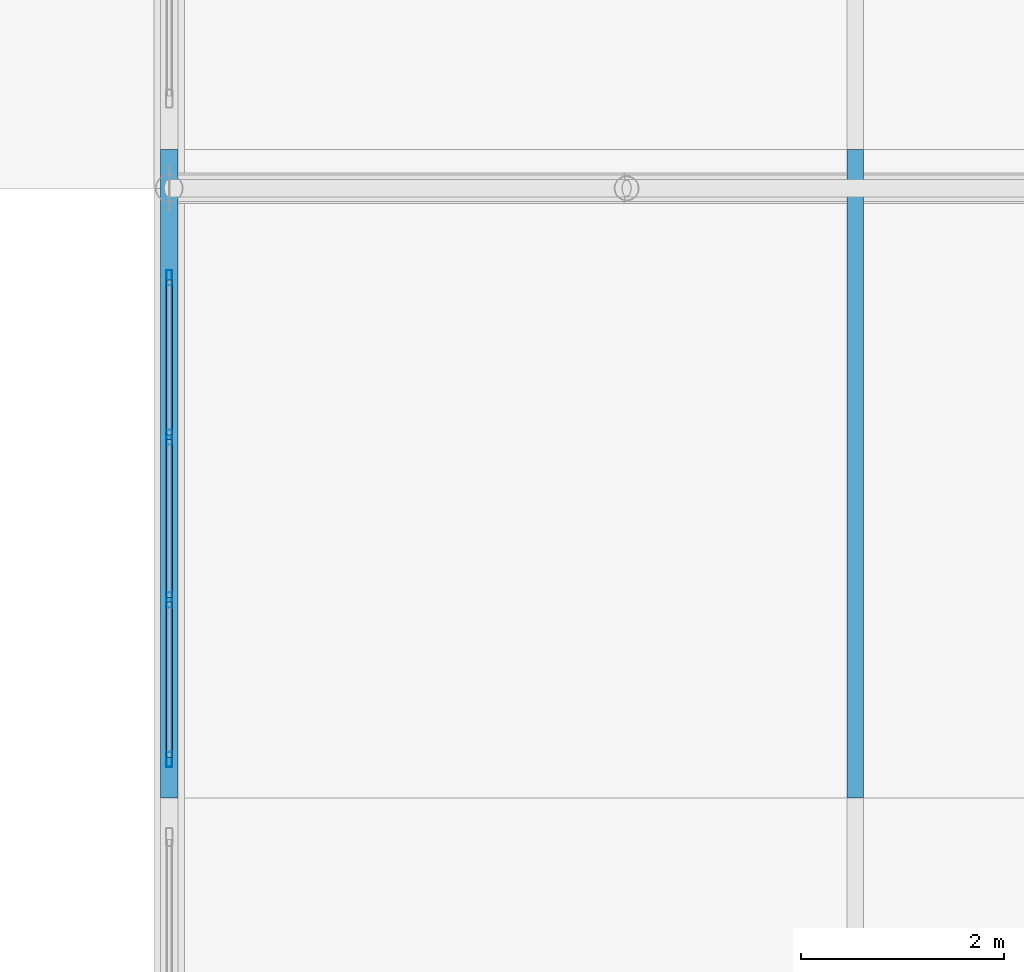
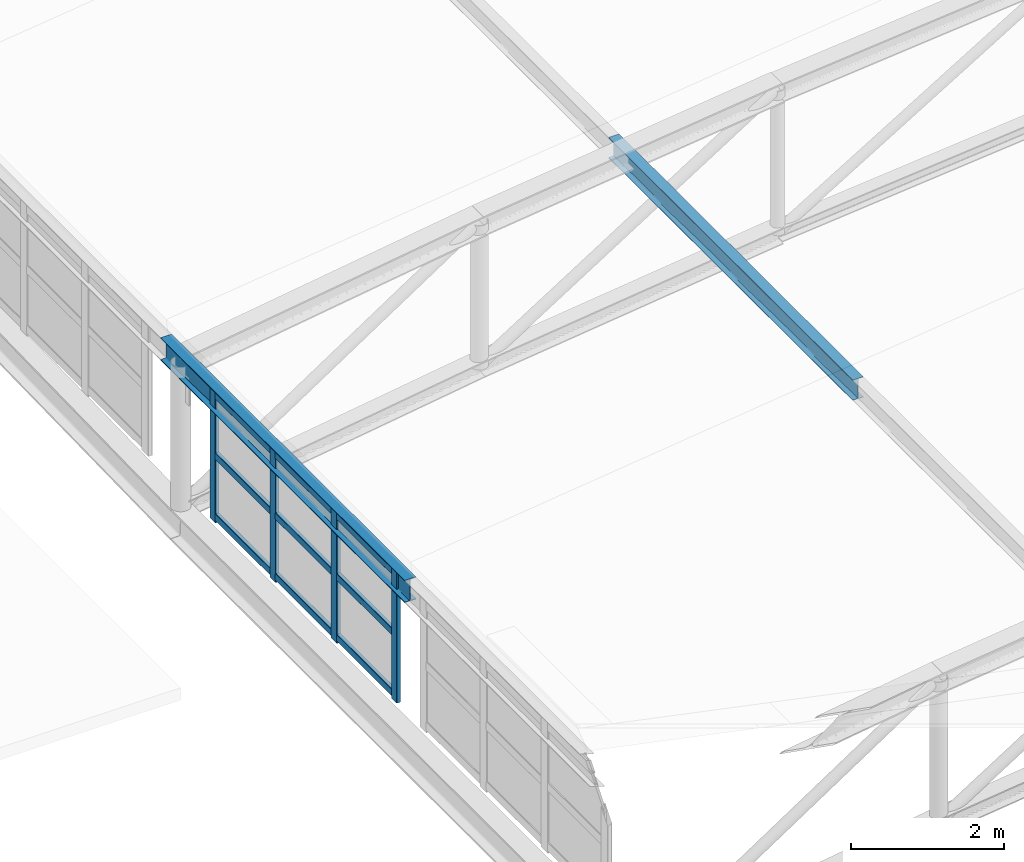
# One storey, part 87 of 262: 15 members, 1 element without a shape of its own.
"""IFC4 building model written with IfcOpenShell, lengths in metres."""

from ifc_helpers import new_model, si_unit, derived_unit, direction, frame, origin, origin_2d, place, context, subcontext, project, spatial, hollow_rectangle, i_section, extrude, material, layer, layer_set, material_profile, profile_set, type_object, element, aggregate, save


model = new_model("IFC4")

# Units and contexts
model_context = context("Model", 3, precision=1e-05, world=origin(), true_north=direction((0.0, 1.0)))
body_context = subcontext(model_context, "Body", "Model", "MODEL_VIEW")
ifc_project = project(units=[si_unit("LENGTHUNIT", "METRE"), si_unit("AREAUNIT", "SQUARE_METRE"), si_unit("VOLUMEUNIT", "CUBIC_METRE"), si_unit("PLANEANGLEUNIT", "RADIAN"), si_unit("MASSUNIT", "GRAM", prefix="KILO"), derived_unit("THERMALTRANSMITTANCEUNIT", [(si_unit("POWERUNIT", "WATT"), 1), (si_unit("LENGTHUNIT", "METRE"), -2), (si_unit("THERMODYNAMICTEMPERATUREUNIT", "KELVIN"), -1)])], contexts=[model_context])

# Site, building, storey
site_placement = place(None, origin())
site = spatial("IfcSite", under=ifc_project, at=site_placement, CompositionType="ELEMENT")
building_placement = place(site_placement, origin())
building = spatial("IfcBuilding", under=site, at=building_placement, Name="Almenara Railside Exhibition Hall", CompositionType="ELEMENT")
storey_placement = place(building_placement, frame((0.0, 0.0, 21.699951171875)))
storey = spatial("IfcBuildingStorey", under=building, at=storey_placement, Name="RF", CompositionType="ELEMENT", Elevation=21.699951171875)

# Curtain wall, members
ifc_material_1 = material(Name="Bronze-anodised aluminium and low-E double glazing", Category="aluminium")
ifc_layer = layer(ifc_material_1, 0.179931640625, Name="Bronze-anodised aluminium and low-E double glazing")
ifc_layer_set = layer_set([ifc_layer], Name="Bronze-anodised aluminium and low-E double glazing")
curtain_wall_type = type_object("IfcCurtainWallType", Name="West Hall Clerestory Curtain Wall 4200x2400", PredefinedType="NOTDEFINED", material=ifc_layer_set)
curtain_wall_placement = place(storey_placement, origin())
curtain_wall = element("IfcCurtainWall", 1, at=curtain_wall_placement, inside=storey, type_object=curtain_wall_type, Name="Curtain wall CW-CL1-181", PredefinedType="NOTDEFINED")
ifc_material_2 = material(Name="Bronze-anodised aluminium", Category="aluminium")
ifc_material_profile_1 = material_profile(ifc_material_2, hollow_rectangle(XDim=0.06005859375, YDim=0.14990234375, WallThickness=0.00341796875, InnerFilletRadius=0.00341796875, OuterFilletRadius=0.007080078125, at=origin_2d()), Name="ALU-MUL 60x150x3.5")
ifc_profile_set_1 = profile_set([ifc_material_profile_1], Name="Bronze-anodised aluminium")
member_type_1 = type_object("IfcMemberType", Name="Curtain Wall Mullion 60x150x3.5", PredefinedType="MULLION", material=ifc_profile_set_1)
member_1_placement = place(storey_placement, frame((12.0, 90.3798828125, -2.0849609375), z_axis=(0.0, 0.0, 1.0), x_axis=(-1.0, 0.0, 0.0)))
member_1 = element("IfcMember", 2, at=member_1_placement, type_object=member_type_1, Name="CW-CL1-181 mullion 1", PredefinedType="MULLION", context=body_context, shape_type="SweptSolid", body=[
    extrude(hollow_rectangle(XDim=0.06005859375, YDim=0.14990234375, WallThickness=0.00341796875, InnerFilletRadius=0.00341796875, OuterFilletRadius=0.007080078125, at=origin_2d()), origin(), (0.0, 0.0, 1.0), 2.0849609375),
])
member_2_placement = place(storey_placement, frame((12.0, 91.949951171875, -2.0849609375), z_axis=(0.0, 0.0, 1.0), x_axis=(-1.0, 0.0, 0.0)))
member_2 = element("IfcMember", 3, at=member_2_placement, type_object=member_type_1, Name="CW-CL1-181 mullion 2", PredefinedType="MULLION", context=body_context, shape_type="SweptSolid", body=[
    extrude(hollow_rectangle(XDim=0.06005859375, YDim=0.14990234375, WallThickness=0.00341796875, InnerFilletRadius=0.00341796875, OuterFilletRadius=0.007080078125, at=origin_2d()), origin(), (0.0, 0.0, 1.0), 2.0849609375),
])
member_3_placement = place(storey_placement, frame((12.0, 93.550048828125, -2.0849609375), z_axis=(0.0, 0.0, 1.0), x_axis=(-1.0, 0.0, 0.0)))
member_3 = element("IfcMember", 4, at=member_3_placement, type_object=member_type_1, Name="CW-CL1-181 mullion 3", PredefinedType="MULLION", context=body_context, shape_type="SweptSolid", body=[
    extrude(hollow_rectangle(XDim=0.06005859375, YDim=0.14990234375, WallThickness=0.00341796875, InnerFilletRadius=0.00341796875, OuterFilletRadius=0.007080078125, at=origin_2d()), origin(), (0.0, 0.0, 1.0), 2.0849609375),
])
member_4_placement = place(storey_placement, frame((12.0, 95.1201171875, -2.0849609375), z_axis=(0.0, 0.0, 1.0), x_axis=(-1.0, 0.0, 0.0)))
member_4 = element("IfcMember", 5, at=member_4_placement, type_object=member_type_1, Name="CW-CL1-181 mullion 4", PredefinedType="MULLION", context=body_context, shape_type="SweptSolid", body=[
    extrude(hollow_rectangle(XDim=0.06005859375, YDim=0.14990234375, WallThickness=0.00341796875, InnerFilletRadius=0.00341796875, OuterFilletRadius=0.007080078125, at=origin_2d()), origin(), (0.0, 0.0, 1.0), 2.0849609375),
])
ifc_material_profile_2 = material_profile(ifc_material_2, hollow_rectangle(XDim=0.06005859375, YDim=0.110107421875, WallThickness=0.0029296875, InnerFilletRadius=0.0029296875, OuterFilletRadius=0.006103515625, at=origin_2d()), Name="ALU-TRN 60x110x3")
ifc_profile_set_2 = profile_set([ifc_material_profile_2], Name="Bronze-anodised aluminium")
member_type_2 = type_object("IfcMemberType", Name="Curtain Wall Transom 60x110x3", PredefinedType="USERDEFINED", material=ifc_profile_set_2)
member_5_placement = place(storey_placement, frame((12.0, 90.402099609375, -1.994873046875), z_axis=(0.0, 1.0, 0.0), x_axis=(-1.0, 0.0, 0.0)))
member_5 = element("IfcMember", 6, at=member_5_placement, type_object=member_type_2, Name="CW-CL1-181 transom 1.1", ObjectType="TRANSOM", PredefinedType="USERDEFINED", context=body_context, shape_type="SweptSolid", body=[
    extrude(hollow_rectangle(XDim=0.06005859375, YDim=0.110107421875, WallThickness=0.0029296875, InnerFilletRadius=0.0029296875, OuterFilletRadius=0.006103515625, at=origin_2d()), origin(), (0.0, 0.0, 1.0), 1.52587890625),
])
member_6_placement = place(storey_placement, frame((12.0, 90.402099609375, -1.02490234375), z_axis=(0.0, 1.0, 0.0), x_axis=(-1.0, 0.0, 0.0)))
member_6 = element("IfcMember", 7, at=member_6_placement, type_object=member_type_2, Name="CW-CL1-181 transom 1.2", ObjectType="TRANSOM", PredefinedType="USERDEFINED", context=body_context, shape_type="SweptSolid", body=[
    extrude(hollow_rectangle(XDim=0.06005859375, YDim=0.110107421875, WallThickness=0.0029296875, InnerFilletRadius=0.0029296875, OuterFilletRadius=0.006103515625, at=origin_2d()), origin(), (0.0, 0.0, 1.0), 1.52587890625),
])
member_7_placement = place(storey_placement, frame((12.0, 90.402099609375, -0.054931640625), z_axis=(0.0, 1.0, 0.0), x_axis=(-1.0, 0.0, 0.0)))
member_7 = element("IfcMember", 8, at=member_7_placement, type_object=member_type_2, Name="CW-CL1-181 transom 1.3", ObjectType="TRANSOM", PredefinedType="USERDEFINED", context=body_context, shape_type="SweptSolid", body=[
    extrude(hollow_rectangle(XDim=0.06005859375, YDim=0.110107421875, WallThickness=0.0029296875, InnerFilletRadius=0.0029296875, OuterFilletRadius=0.006103515625, at=origin_2d()), origin(), (0.0, 0.0, 1.0), 1.52587890625),
])
member_8_placement = place(storey_placement, frame((12.0, 91.971923828125, -1.994873046875), z_axis=(0.0, 1.0, 0.0), x_axis=(-1.0, 0.0, 0.0)))
member_8 = element("IfcMember", 9, at=member_8_placement, type_object=member_type_2, Name="CW-CL1-181 transom 2.1", ObjectType="TRANSOM", PredefinedType="USERDEFINED", context=body_context, shape_type="SweptSolid", body=[
    extrude(hollow_rectangle(XDim=0.06005859375, YDim=0.110107421875, WallThickness=0.0029296875, InnerFilletRadius=0.0029296875, OuterFilletRadius=0.006103515625, at=origin_2d()), origin(), (0.0, 0.0, 1.0), 1.55615234375),
])
member_9_placement = place(storey_placement, frame((12.0, 91.971923828125, -1.02490234375), z_axis=(0.0, 1.0, 0.0), x_axis=(-1.0, 0.0, 0.0)))
member_9 = element("IfcMember", 10, at=member_9_placement, type_object=member_type_2, Name="CW-CL1-181 transom 2.2", ObjectType="TRANSOM", PredefinedType="USERDEFINED", context=body_context, shape_type="SweptSolid", body=[
    extrude(hollow_rectangle(XDim=0.06005859375, YDim=0.110107421875, WallThickness=0.0029296875, InnerFilletRadius=0.0029296875, OuterFilletRadius=0.006103515625, at=origin_2d()), origin(), (0.0, 0.0, 1.0), 1.55615234375),
])
member_10_placement = place(storey_placement, frame((12.0, 91.971923828125, -0.054931640625), z_axis=(0.0, 1.0, 0.0), x_axis=(-1.0, 0.0, 0.0)))
member_10 = element("IfcMember", 11, at=member_10_placement, type_object=member_type_2, Name="CW-CL1-181 transom 2.3", ObjectType="TRANSOM", PredefinedType="USERDEFINED", context=body_context, shape_type="SweptSolid", body=[
    extrude(hollow_rectangle(XDim=0.06005859375, YDim=0.110107421875, WallThickness=0.0029296875, InnerFilletRadius=0.0029296875, OuterFilletRadius=0.006103515625, at=origin_2d()), origin(), (0.0, 0.0, 1.0), 1.55615234375),
])
member_11_placement = place(storey_placement, frame((12.0, 93.572021484375, -1.994873046875), z_axis=(0.0, 1.0, 0.0), x_axis=(-1.0, 0.0, 0.0)))
member_11 = element("IfcMember", 12, at=member_11_placement, type_object=member_type_2, Name="CW-CL1-181 transom 3.1", ObjectType="TRANSOM", PredefinedType="USERDEFINED", context=body_context, shape_type="SweptSolid", body=[
    extrude(hollow_rectangle(XDim=0.06005859375, YDim=0.110107421875, WallThickness=0.0029296875, InnerFilletRadius=0.0029296875, OuterFilletRadius=0.006103515625, at=origin_2d()), origin(), (0.0, 0.0, 1.0), 1.52587890625),
])
member_12_placement = place(storey_placement, frame((12.0, 93.572021484375, -1.02490234375), z_axis=(0.0, 1.0, 0.0), x_axis=(-1.0, 0.0, 0.0)))
member_12 = element("IfcMember", 13, at=member_12_placement, type_object=member_type_2, Name="CW-CL1-181 transom 3.2", ObjectType="TRANSOM", PredefinedType="USERDEFINED", context=body_context, shape_type="SweptSolid", body=[
    extrude(hollow_rectangle(XDim=0.06005859375, YDim=0.110107421875, WallThickness=0.0029296875, InnerFilletRadius=0.0029296875, OuterFilletRadius=0.006103515625, at=origin_2d()), origin(), (0.0, 0.0, 1.0), 1.52587890625),
])
member_13_placement = place(storey_placement, frame((12.0, 93.572021484375, -0.054931640625), z_axis=(0.0, 1.0, 0.0), x_axis=(-1.0, 0.0, 0.0)))
member_13 = element("IfcMember", 14, at=member_13_placement, type_object=member_type_2, Name="CW-CL1-181 transom 3.3", ObjectType="TRANSOM", PredefinedType="USERDEFINED", context=body_context, shape_type="SweptSolid", body=[
    extrude(hollow_rectangle(XDim=0.06005859375, YDim=0.110107421875, WallThickness=0.0029296875, InnerFilletRadius=0.0029296875, OuterFilletRadius=0.006103515625, at=origin_2d()), origin(), (0.0, 0.0, 1.0), 1.52587890625),
])
aggregate(curtain_wall, [member_1, member_2, member_3, member_4, member_5, member_6, member_7, member_8, member_9, member_10, member_11, member_12, member_13])

# Members
ifc_material_3 = material(Name="Structural steel S355JR", Category="steel")
ifc_material_profile_3 = material_profile(ifc_material_3, i_section(OverallWidth=0.159912109375, OverallDepth=0.330078125, WebThickness=0.007568359375, FlangeThickness=0.011474609375, FilletRadius=0.01806640625, at=origin_2d()), Name="IPE 330")
ifc_profile_set_3 = profile_set([ifc_material_profile_3], Name="Structural steel S355JR")
member_type_3 = type_object("IfcMemberType", Name="Gable Bay Purlin IPE 330 S355JR", PredefinedType="PURLIN", material=ifc_profile_set_3)
member_14_placement = place(storey_placement, frame((18.75, 90.0, 0.743408203125), z_axis=(0.0, 1.0, 0.0), x_axis=(-1.0, 0.0, 0.0)))
element("IfcMember", 15, at=member_14_placement, inside=storey, type_object=member_type_3, Name="MEM-PR-V1-PR-IPE330-01-14", PredefinedType="PURLIN", context=body_context, shape_type="SweptSolid", body=[
    extrude(i_section(OverallWidth=0.159912109375, OverallDepth=0.330078125, WebThickness=0.007568359375, FlangeThickness=0.011474609375, FilletRadius=0.01806640625, at=origin_2d()), origin(), (0.0, 0.0, 1.0), 6.3798828125),
])
ifc_material_profile_4 = material_profile(ifc_material_3, i_section(OverallWidth=0.169921875, OverallDepth=0.360107421875, WebThickness=0.008056640625, FlangeThickness=0.0126953125, FilletRadius=0.01806640625, at=origin_2d()), Name="IPE 360")
ifc_profile_set_4 = profile_set([ifc_material_profile_4], Name="Structural steel S355JR")
member_type_4 = type_object("IfcMemberType", Name="Long-Span Scroll Purlin IPE 360 S355JR", PredefinedType="PURLIN", material=ifc_profile_set_4)
member_15_placement = place(storey_placement, frame((12.0, 90.0, -0.100830078125), z_axis=(0.0, 1.0, 0.0), x_axis=(-1.0, 0.0, 0.0)))
element("IfcMember", 16, at=member_15_placement, inside=storey, type_object=member_type_4, Name="MEM-PR-V1-PR-IPE360-00-14", PredefinedType="PURLIN", context=body_context, shape_type="SweptSolid", body=[
    extrude(i_section(OverallWidth=0.169921875, OverallDepth=0.360107421875, WebThickness=0.008056640625, FlangeThickness=0.0126953125, FilletRadius=0.01806640625, at=origin_2d()), origin(), (0.0, 0.0, 1.0), 6.3798828125),
])

save(model, "model.ifc")
